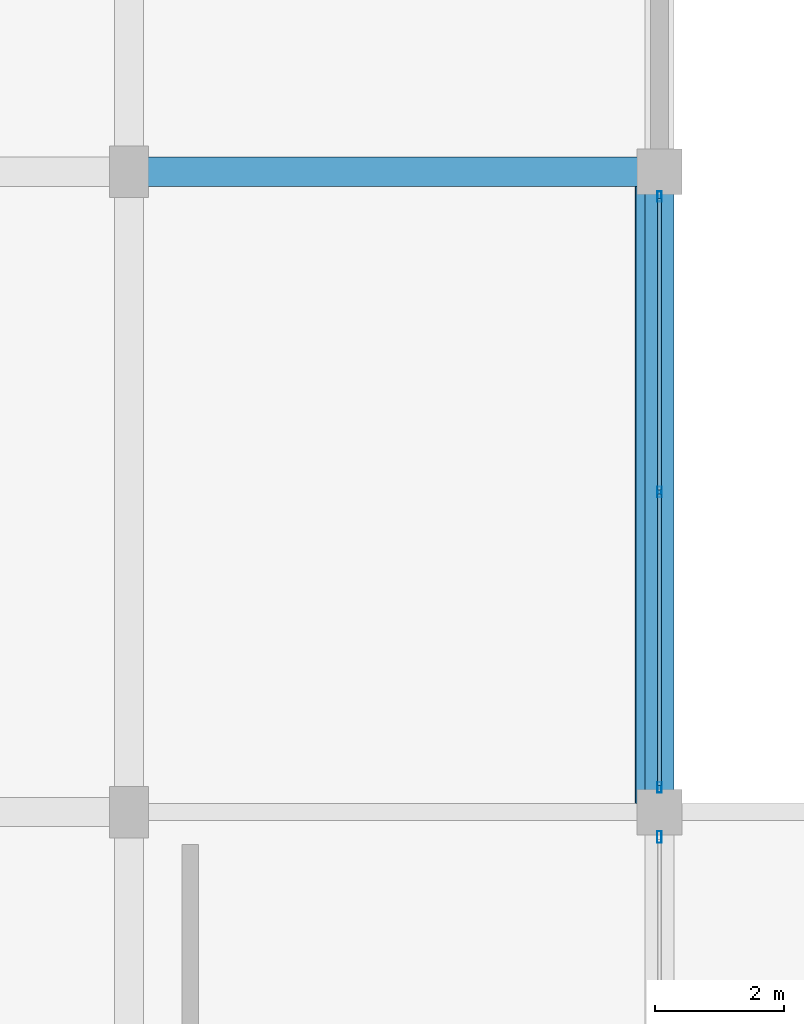
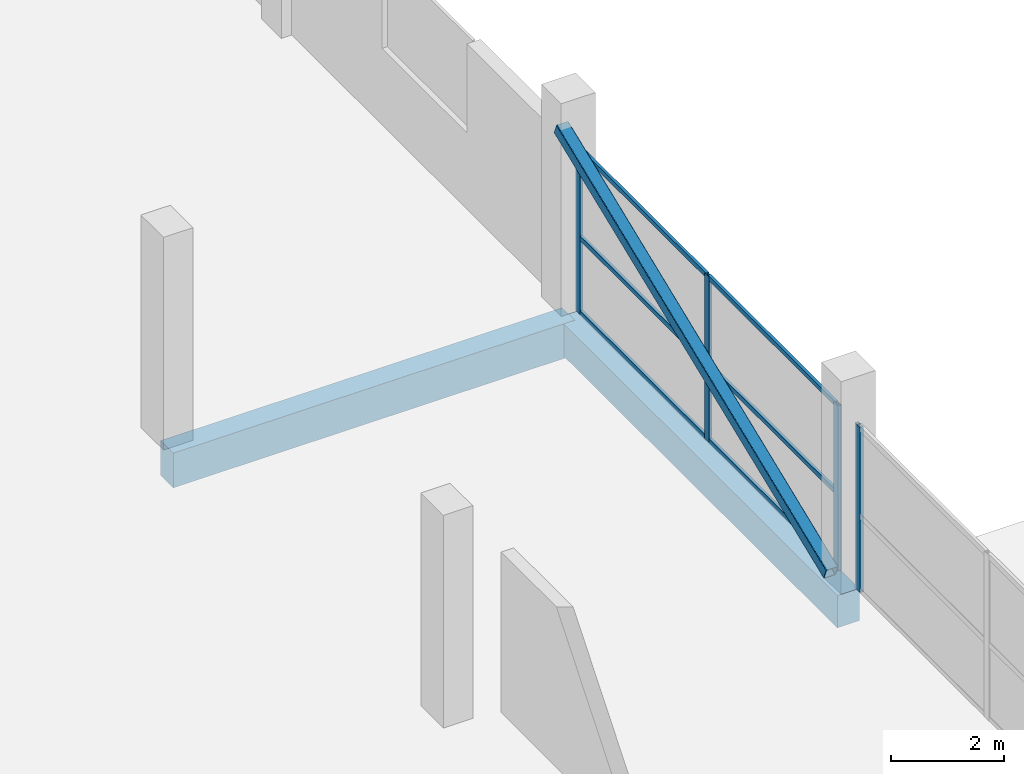
# One storey, part 29 of 58: 11 members, 2 beams, 2 elements without a shape of their own.
"""IFC4 building model written with IfcOpenShell, lengths in metres."""

from ifc_helpers import new_model, si_unit, direction, frame, origin, origin_2d, place, context, subcontext, project, spatial, rectangle, hollow_rectangle, extrude, material, layer, layer_set, material_profile, profile_set, type_object, element, aggregate, save


model = new_model("IFC4")

# Units and contexts
model_context = context("Model", 3, precision=1e-05, world=origin(), true_north=direction((0.0, 1.0)))
body_context = subcontext(model_context, "Body", "Model", "MODEL_VIEW")
ifc_project = project(units=[si_unit("LENGTHUNIT", "METRE"), si_unit("AREAUNIT", "SQUARE_METRE"), si_unit("VOLUMEUNIT", "CUBIC_METRE"), si_unit("PLANEANGLEUNIT", "RADIAN"), si_unit("MASSUNIT", "GRAM", prefix="KILO")], contexts=[model_context])

# Site, building, storey
site_placement = place(None, origin())
site = spatial("IfcSite", under=ifc_project, at=site_placement, CompositionType="ELEMENT")
building_placement = place(site_placement, origin())
building = spatial("IfcBuilding", under=site, at=building_placement, Name="Sillaruma Civic Art Gallery", CompositionType="ELEMENT")
storey_placement = place(building_placement, frame((0.0, 0.0, 28.56005859375)))
storey = spatial("IfcBuildingStorey", under=building, at=storey_placement, Name="L05", CompositionType="ELEMENT", Elevation=28.56005859375)

# Beams
ifc_material_1 = material(Name="Concrete H40 (40 MPa)", Category="concrete")
ifc_material_profile_1 = material_profile(ifc_material_1, rectangle(XDim=0.449951171875, YDim=0.75, at=origin_2d()), Name="RCB450x750")
ifc_profile_set_1 = profile_set([ifc_material_profile_1], Name="Concrete H40 (40 MPa)")
beam_type_1 = type_object("IfcBeamType", Name="BM-BEAM-RCB450x750", PredefinedType="BEAM", material=ifc_profile_set_1)
beam_1_placement = place(storey_placement, frame((106.199951171875, 79.199951171875, -0.655029296875), z_axis=(1.0, 0.0, 0.0), x_axis=(0.0, 1.0, 0.0)))
element("IfcBeam", 1, at=beam_1_placement, inside=storey, type_object=beam_type_1, Name="Beam BM-03 (L04:9:M-N)", PredefinedType="BEAM", context=body_context, shape_type="SweptSolid", body=[
    extrude(rectangle(XDim=0.449951171875, YDim=0.75, at=origin_2d()), origin(), (0.0, 0.0, 1.0), 8.199951171875),
])
ifc_material_2 = material(Name="Concrete H35 (35 MPa)", Category="concrete")
ifc_material_profile_2 = material_profile(ifc_material_2, rectangle(XDim=0.449951171875, YDim=0.699951171875, at=origin_2d()), Name="RCB450x700")
ifc_profile_set_2 = profile_set([ifc_material_profile_2], Name="Concrete H35 (35 MPa)")
beam_type_2 = type_object("IfcBeamType", Name="BM-SPANDREL-RCB450x700", PredefinedType="SPANDREL", material=ifc_profile_set_2)
beam_2_placement = place(storey_placement, frame((114.39990234375, 69.300048828125, -0.630126953125), z_axis=(0.0, 1.0, 0.0), x_axis=(-1.0, 0.0, 0.0)))
element("IfcBeam", 2, at=beam_2_placement, inside=storey, type_object=beam_type_2, Name="Beam BS-03 (L04:N:8-9)", PredefinedType="SPANDREL", context=body_context, shape_type="SweptSolid", body=[
    extrude(rectangle(XDim=0.449951171875, YDim=0.699951171875, at=origin_2d()), origin(), (0.0, 0.0, 1.0), 9.89990234375),
])

# Member
ifc_material_3 = material(Name="Structural Steel ASTM A500 Gr.C", Category="steel")
ifc_material_profile_3 = material_profile(ifc_material_3, hollow_rectangle(XDim=0.25, YDim=0.25, WallThickness=0.012451171875, InnerFilletRadius=0.012451171875, OuterFilletRadius=0.02490234375, at=origin_2d()), Name="HSS250x250x12.5")
ifc_profile_set_3 = profile_set([ifc_material_profile_3], Name="Structural Steel ASTM A500 Gr.C")
member_type_1 = type_object("IfcMemberType", Name="MEM-MEGA-BRACE", PredefinedType="BRACE", material=ifc_profile_set_3)
member_1_placement = place(storey_placement, frame((114.14990234375, 69.47998046875, 0.119873046875), z_axis=(0.0, 0.928004243674, 0.372569622652), x_axis=(-1.0, 0.0, 0.0)))
element("IfcMember", 3, at=member_1_placement, inside=storey, type_object=member_type_1, Name="Gallery Spine Diagonal Steel Brace (L05-E2)", PredefinedType="BRACE", context=body_context, shape_type="SweptSolid", body=[
    extrude(hollow_rectangle(XDim=0.25, YDim=0.25, WallThickness=0.012451171875, InnerFilletRadius=0.012451171875, OuterFilletRadius=0.02490234375, at=origin_2d()), origin(), (0.0, 0.0, 1.0), 10.2802734375),
])

# Curtain wall, members
ifc_material_4 = material(Name="Thermally Broken Extruded Aluminium 6063-T6", Category="aluminium")
ifc_layer_1 = layer(ifc_material_4, 0.159912109375, Name="Thermally Broken Extruded Aluminium 6063-T6")
ifc_layer_set_1 = layer_set([ifc_layer_1], Name="Thermally Broken Extruded Aluminium 6063-T6")
curtain_wall_type_1 = type_object("IfcCurtainWallType", Name="CW-UNI-35", PredefinedType="NOTDEFINED", material=ifc_layer_set_1)
curtain_wall_1_placement = place(storey_placement, origin())
curtain_wall_1 = element("IfcCurtainWall", 4, at=curtain_wall_1_placement, inside=storey, type_object=curtain_wall_type_1, Name="Unitised Curtain Wall CW-35 (CW-L05-E-6)", PredefinedType="NOTDEFINED")
ifc_material_profile_4 = material_profile(ifc_material_4, hollow_rectangle(XDim=0.06494140625, YDim=0.159912109375, WallThickness=0.00390625, at=origin_2d()), Name="CWM65x160")
ifc_profile_set_4 = profile_set([ifc_material_profile_4], Name="Thermally Broken Extruded Aluminium 6063-T6")
member_type_2 = type_object("IfcMemberType", Name="MEM-MUL-CWM65x160", PredefinedType="MULLION", material=ifc_profile_set_4)
member_2_placement = place(storey_placement, frame((114.39990234375, 69.6826171875, 0.0), z_axis=(0.0, 0.0, 1.0), x_axis=(-1.0, 0.0, 0.0)))
member_2 = element("IfcMember", 5, at=member_2_placement, type_object=member_type_2, Name="CW-35 mullion 1", PredefinedType="MULLION", context=body_context, shape_type="SweptSolid", body=[
    extrude(hollow_rectangle(XDim=0.06494140625, YDim=0.159912109375, WallThickness=0.00390625, at=origin_2d()), origin(), (0.0, 0.0, 1.0), 3.56982421875),
])
member_3_placement = place(storey_placement, frame((114.39990234375, 74.25, 0.0), z_axis=(0.0, 0.0, 1.0), x_axis=(-1.0, 0.0, 0.0)))
member_3 = element("IfcMember", 6, at=member_3_placement, type_object=member_type_2, Name="CW-35 mullion 2", PredefinedType="MULLION", context=body_context, shape_type="SweptSolid", body=[
    extrude(hollow_rectangle(XDim=0.06494140625, YDim=0.159912109375, WallThickness=0.00390625, at=origin_2d()), origin(), (0.0, 0.0, 1.0), 3.56982421875),
])
member_4_placement = place(storey_placement, frame((114.39990234375, 78.8173828125, 0.0), z_axis=(0.0, 0.0, 1.0), x_axis=(-1.0, 0.0, 0.0)))
member_4 = element("IfcMember", 7, at=member_4_placement, type_object=member_type_2, Name="CW-35 mullion 3", PredefinedType="MULLION", context=body_context, shape_type="SweptSolid", body=[
    extrude(hollow_rectangle(XDim=0.06494140625, YDim=0.159912109375, WallThickness=0.00390625, at=origin_2d()), origin(), (0.0, 0.0, 1.0), 3.56982421875),
])

# Curtain wall, member
ifc_layer_2 = layer(ifc_material_4, 0.179931640625, Name="Thermally Broken Extruded Aluminium 6063-T6")
ifc_layer_set_2 = layer_set([ifc_layer_2], Name="Thermally Broken Extruded Aluminium 6063-T6")
curtain_wall_type_2 = type_object("IfcCurtainWallType", Name="CW-UNI-34", PredefinedType="NOTDEFINED", material=ifc_layer_set_2)
curtain_wall_2_placement = place(storey_placement, origin())
curtain_wall_2 = element("IfcCurtainWall", 8, at=curtain_wall_2_placement, inside=storey, type_object=curtain_wall_type_2, Name="Unitised Curtain Wall CW-34 (CW-L05-E-5)", PredefinedType="NOTDEFINED")
ifc_material_profile_5 = material_profile(ifc_material_4, hollow_rectangle(XDim=0.070068359375, YDim=0.179931640625, WallThickness=0.00390625, at=origin_2d()), Name="CWM70x180")
ifc_profile_set_5 = profile_set([ifc_material_profile_5], Name="Thermally Broken Extruded Aluminium 6063-T6")
member_type_3 = type_object("IfcMemberType", Name="MEM-MUL-CWM70x180", PredefinedType="MULLION", material=ifc_profile_set_5)
member_5_placement = place(storey_placement, frame((114.39990234375, 68.9150390625, 0.0), z_axis=(0.0, 0.0, 1.0), x_axis=(-1.0, 0.0, 0.0)))
member_5 = element("IfcMember", 9, at=member_5_placement, type_object=member_type_3, Name="CW-34 mullion 3", PredefinedType="MULLION", context=body_context, shape_type="SweptSolid", body=[
    extrude(hollow_rectangle(XDim=0.070068359375, YDim=0.179931640625, WallThickness=0.00390625, at=origin_2d()), origin(), (0.0, 0.0, 1.0), 3.56982421875),
])
aggregate(curtain_wall_2, [member_5])

# Member
ifc_material_profile_6 = material_profile(ifc_material_4, hollow_rectangle(XDim=0.06005859375, YDim=0.10009765625, WallThickness=0.003173828125, at=origin_2d()), Name="CWT60x100")
ifc_profile_set_6 = profile_set([ifc_material_profile_6], Name="Thermally Broken Extruded Aluminium 6063-T6")
member_type_4 = type_object("IfcMemberType", Name="MEM-TRN-CWT60x100", PredefinedType="USERDEFINED", material=ifc_profile_set_6)
member_6_placement = place(storey_placement, frame((114.39990234375, 69.715087890625, 0.030029296875), z_axis=(0.0, 1.0, 0.0), x_axis=(-1.0, 0.0, 0.0)))
member_6 = element("IfcMember", 10, at=member_6_placement, type_object=member_type_4, Name="CW-35 transom 1.1", ObjectType="TRANSOM", PredefinedType="USERDEFINED", context=body_context, shape_type="SweptSolid", body=[
    extrude(hollow_rectangle(XDim=0.06005859375, YDim=0.10009765625, WallThickness=0.003173828125, at=origin_2d()), origin(), (0.0, 0.0, 1.0), 4.50244140625),
])

member_7_placement = place(storey_placement, frame((114.39990234375, 69.715087890625, 1.64208984375), z_axis=(0.0, 1.0, 0.0), x_axis=(-1.0, 0.0, 0.0)))
member_7 = element("IfcMember", 11, at=member_7_placement, type_object=member_type_4, Name="CW-35 transom 1.2", ObjectType="TRANSOM", PredefinedType="USERDEFINED", context=body_context, shape_type="SweptSolid", body=[
    extrude(hollow_rectangle(XDim=0.06005859375, YDim=0.10009765625, WallThickness=0.003173828125, at=origin_2d()), origin(), (0.0, 0.0, 1.0), 4.50244140625),
])

member_8_placement = place(storey_placement, frame((114.39990234375, 69.715087890625, 3.5400390625), z_axis=(0.0, 1.0, 0.0), x_axis=(-1.0, 0.0, 0.0)))
member_8 = element("IfcMember", 12, at=member_8_placement, type_object=member_type_4, Name="CW-35 transom 1.3", ObjectType="TRANSOM", PredefinedType="USERDEFINED", context=body_context, shape_type="SweptSolid", body=[
    extrude(hollow_rectangle(XDim=0.06005859375, YDim=0.10009765625, WallThickness=0.003173828125, at=origin_2d()), origin(), (0.0, 0.0, 1.0), 4.50244140625),
])

member_9_placement = place(storey_placement, frame((114.39990234375, 74.282470703125, 0.030029296875), z_axis=(0.0, 1.0, 0.0), x_axis=(-1.0, 0.0, 0.0)))
member_9 = element("IfcMember", 13, at=member_9_placement, type_object=member_type_4, Name="CW-35 transom 2.1", ObjectType="TRANSOM", PredefinedType="USERDEFINED", context=body_context, shape_type="SweptSolid", body=[
    extrude(hollow_rectangle(XDim=0.06005859375, YDim=0.10009765625, WallThickness=0.003173828125, at=origin_2d()), origin(), (0.0, 0.0, 1.0), 4.50244140625),
])

member_10_placement = place(storey_placement, frame((114.39990234375, 74.282470703125, 1.64208984375), z_axis=(0.0, 1.0, 0.0), x_axis=(-1.0, 0.0, 0.0)))
member_10 = element("IfcMember", 14, at=member_10_placement, type_object=member_type_4, Name="CW-35 transom 2.2", ObjectType="TRANSOM", PredefinedType="USERDEFINED", context=body_context, shape_type="SweptSolid", body=[
    extrude(hollow_rectangle(XDim=0.06005859375, YDim=0.10009765625, WallThickness=0.003173828125, at=origin_2d()), origin(), (0.0, 0.0, 1.0), 4.50244140625),
])

member_11_placement = place(storey_placement, frame((114.39990234375, 74.282470703125, 3.5400390625), z_axis=(0.0, 1.0, 0.0), x_axis=(-1.0, 0.0, 0.0)))
member_11 = element("IfcMember", 15, at=member_11_placement, type_object=member_type_4, Name="CW-35 transom 2.3", ObjectType="TRANSOM", PredefinedType="USERDEFINED", context=body_context, shape_type="SweptSolid", body=[
    extrude(hollow_rectangle(XDim=0.06005859375, YDim=0.10009765625, WallThickness=0.003173828125, at=origin_2d()), origin(), (0.0, 0.0, 1.0), 4.50244140625),
])

aggregate(curtain_wall_1, [member_2, member_3, member_4, member_6, member_7, member_8, member_9, member_10, member_11])

save(model, "model.ifc")
